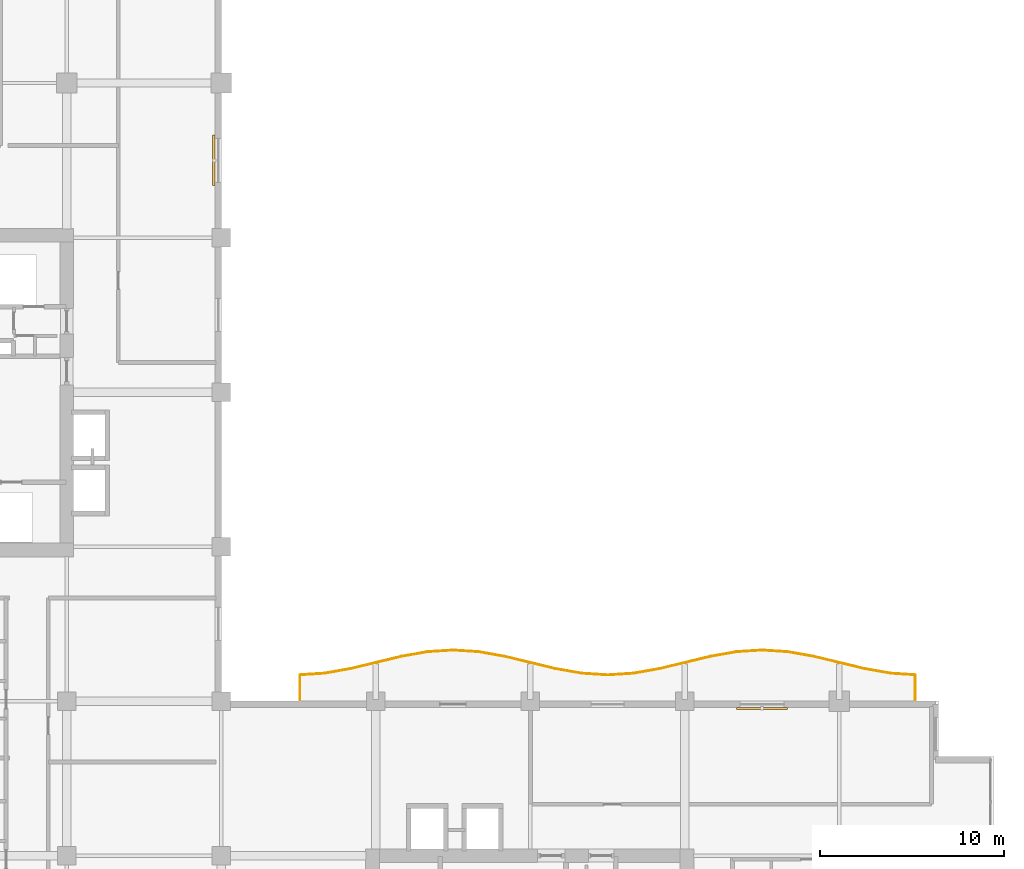
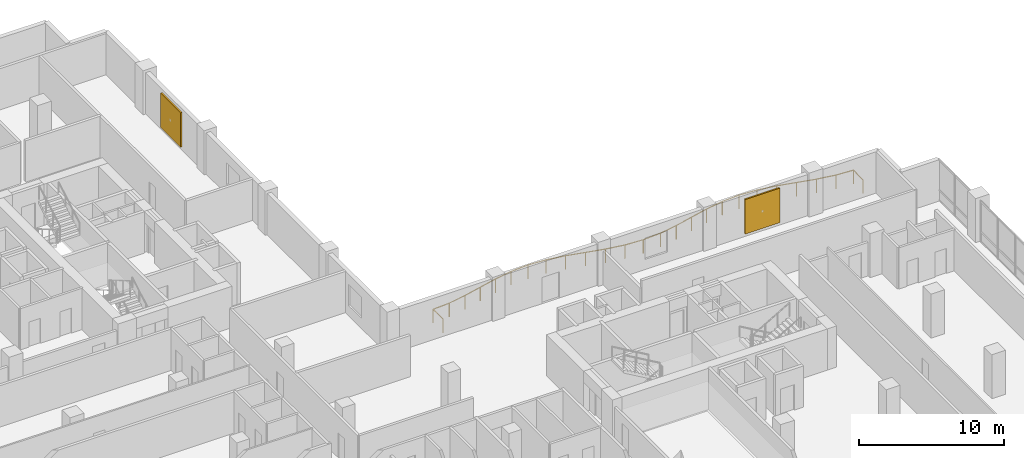
# One storey, part 22 of 22: 2 shading devices, 1 railing.
"""IFC4 building model written with IfcOpenShell, lengths in metres."""

from ifc_helpers import new_model, si_unit, direction, frame, origin, origin_2d, place, context, subcontext, project, spatial, rectangle, circle, extrude, material, layer, layer_set, type_object, element, save


model = new_model("IFC4")

# Units and contexts
model_context = context("Model", 3, precision=1e-05, world=origin(), true_north=direction((0.0, 1.0)))
body_context = subcontext(model_context, "Body", "Model", "MODEL_VIEW")
ifc_project = project(units=[si_unit("LENGTHUNIT", "METRE"), si_unit("AREAUNIT", "SQUARE_METRE"), si_unit("VOLUMEUNIT", "CUBIC_METRE"), si_unit("PLANEANGLEUNIT", "RADIAN"), si_unit("MASSUNIT", "GRAM", prefix="KILO")], contexts=[model_context])

# Site, building, storey
site_placement = place(None, origin())
site = spatial("IfcSite", under=ifc_project, at=site_placement, CompositionType="ELEMENT")
building_placement = place(site_placement, origin())
building = spatial("IfcBuilding", under=site, at=building_placement, Name="Koriwani Terraces Tower", CompositionType="ELEMENT")
storey_placement = place(building_placement, frame((0.0, 0.0, 182.800048828125)))
storey = spatial("IfcBuildingStorey", under=building, at=storey_placement, Name="L44", CompositionType="ELEMENT", Elevation=182.800048828125)

# Railing
ifc_material_1 = material(Name="Steel ASTM A572 Grade 50", Category="steel")
railing_type = type_object("IfcRailingType", Name="GUARD_BALUSTRADE_1150", PredefinedType="BALUSTRADE", material=ifc_material_1)
railing_placement = place(storey_placement, frame((71.320068359375, 33.679931640625, 0.0)))
element("IfcRailing", 1, at=railing_placement, inside=storey, type_object=railing_type, Name="L44 Balcony Perimeter Safety Balustrade (NE)", PredefinedType="BALUSTRADE", context=body_context, shape_type="SweptSolid", body=[
    extrude(circle(Radius=0.02392578125, at=origin_2d()), frame((0.0, 0.0, 1.1259765625), z_axis=(0.0, 1.0, 0.0), x_axis=(-1.0, 0.0, 0.0)), (0.0, 0.0, 1.0), 1.344970703125),
    extrude(circle(Radius=0.02392578125, at=origin_2d()), frame((0.0, 1.344970703125, 1.1259765625), z_axis=(-0.997905895812, 0.064682479108, 0.0), x_axis=(-0.064682479108, -0.997905895812, 0.0)), (0.0, 0.0, 1.0), 1.332275390625),
    extrude(circle(Radius=0.02392578125, at=origin_2d()), frame((-1.32958984375, 1.43115234375, 1.1259765625), z_axis=(-0.984807637937, 0.173648830292, 0.0), x_axis=(-0.173648830292, -0.984807637937, 0.0)), (0.0, 0.0, 1.0), 1.428466796875),
    extrude(circle(Radius=0.02392578125, at=origin_2d()), frame((-2.736328125, 1.67919921875, 1.1259765625), z_axis=(-0.972147505112, 0.234369853661, 0.0), x_axis=(-0.234369853661, -0.972147505112, 0.0)), (0.0, 0.0, 1.0), 2.88037109375),
    extrude(circle(Radius=0.02392578125, at=origin_2d()), frame((-5.536376953125, 2.354248046875, 1.1259765625), z_axis=(-0.984787032938, 0.173765646078, 0.0), x_axis=(-0.173765646078, -0.984787032938, 0.0)), (0.0, 0.0, 1.0), 1.414794921875),
    extrude(circle(Radius=0.02392578125, at=origin_2d()), frame((-6.9296875, 2.60009765625, 1.1259765625), z_axis=(-0.997918766852, 0.064483600738, 0.0), x_axis=(-0.064483600738, -0.997918766852, 0.0)), (0.0, 0.0, 1.0), 1.393310546875),
    extrude(circle(Radius=0.02392578125, at=origin_2d()), frame((-8.320068359375, 2.68994140625, 1.1259765625), z_axis=(-0.997918766852, -0.064483600738, 0.0), x_axis=(0.064483600738, -0.997918766852, 0.0)), (0.0, 0.0, 1.0), 1.393310546875),
    extrude(circle(Radius=0.02392578125, at=origin_2d()), frame((-9.71044921875, 2.60009765625, 1.1259765625), z_axis=(-0.984787032938, -0.173765646078, 0.0), x_axis=(0.173765646078, -0.984787032938, 0.0)), (0.0, 0.0, 1.0), 1.414794921875),
    extrude(circle(Radius=0.02392578125, at=origin_2d()), frame((-11.103759765625, 2.354248046875, 1.1259765625), z_axis=(-0.972147505112, -0.234369853661, 0.0), x_axis=(0.234369853661, -0.972147505112, 0.0)), (0.0, 0.0, 1.0), 2.88037109375),
    extrude(circle(Radius=0.02392578125, at=origin_2d()), frame((-13.90380859375, 1.67919921875, 1.1259765625), z_axis=(-0.984807637937, -0.173648830292, 0.0), x_axis=(0.173648830292, -0.984807637937, 0.0)), (0.0, 0.0, 1.0), 1.428466796875),
    extrude(circle(Radius=0.02392578125, at=origin_2d()), frame((-15.310546875, 1.43115234375, 1.1259765625), z_axis=(-0.997930321615, -0.064304534842, 0.0), x_axis=(0.064304534842, -0.997930321615, 0.0)), (0.0, 0.0, 1.0), 1.412353515625),
    extrude(circle(Radius=0.02392578125, at=origin_2d()), frame((-16.719970703125, 1.34033203125, 1.1259765625), z_axis=(-0.997931036226, 0.064293443969, 0.0), x_axis=(-0.064293443969, -0.997931036226, 0.0)), (0.0, 0.0, 1.0), 1.41259765625),
    extrude(circle(Radius=0.02392578125, at=origin_2d()), frame((-18.129638671875, 1.43115234375, 1.1259765625), z_axis=(-0.984807637937, 0.173648830292, 0.0), x_axis=(-0.173648830292, -0.984807637937, 0.0)), (0.0, 0.0, 1.0), 1.428466796875),
    extrude(circle(Radius=0.02392578125, at=origin_2d()), frame((-19.536376953125, 1.67919921875, 1.1259765625), z_axis=(-0.972147505112, 0.234369853661, 0.0), x_axis=(-0.234369853661, -0.972147505112, 0.0)), (0.0, 0.0, 1.0), 2.88037109375),
    extrude(circle(Radius=0.02392578125, at=origin_2d()), frame((-22.33642578125, 2.354248046875, 1.1259765625), z_axis=(-0.984787032938, 0.173765646078, 0.0), x_axis=(-0.173765646078, -0.984787032938, 0.0)), (0.0, 0.0, 1.0), 1.414794921875),
    extrude(circle(Radius=0.02392578125, at=origin_2d()), frame((-23.729736328125, 2.60009765625, 1.1259765625), z_axis=(-0.997918766852, 0.064483600738, 0.0), x_axis=(-0.064483600738, -0.997918766852, 0.0)), (0.0, 0.0, 1.0), 1.393310546875),
    extrude(circle(Radius=0.02392578125, at=origin_2d()), frame((-25.1201171875, 2.68994140625, 1.1259765625), z_axis=(-0.997918766852, -0.064483600738, 0.0), x_axis=(0.064483600738, -0.997918766852, 0.0)), (0.0, 0.0, 1.0), 1.393310546875),
    extrude(circle(Radius=0.02392578125, at=origin_2d()), frame((-26.510498046875, 2.60009765625, 1.1259765625), z_axis=(-0.984787032938, -0.173765646078, 0.0), x_axis=(0.173765646078, -0.984787032938, 0.0)), (0.0, 0.0, 1.0), 1.414794921875),
    extrude(circle(Radius=0.02392578125, at=origin_2d()), frame((-27.90380859375, 2.354248046875, 1.1259765625), z_axis=(-0.972147505112, -0.234369853661, 0.0), x_axis=(0.234369853661, -0.972147505112, 0.0)), (0.0, 0.0, 1.0), 2.88037109375),
    extrude(circle(Radius=0.02392578125, at=origin_2d()), frame((-30.703857421875, 1.67919921875, 1.1259765625), z_axis=(-0.984807637937, -0.173648830292, 0.0), x_axis=(0.173648830292, -0.984807637937, 0.0)), (0.0, 0.0, 1.0), 1.428466796875),
    extrude(circle(Radius=0.02392578125, at=origin_2d()), frame((-32.110595703125, 1.43115234375, 1.1259765625), z_axis=(-0.997905895812, -0.064682479108, 0.0), x_axis=(0.064682479108, -0.997905895812, 0.0)), (0.0, 0.0, 1.0), 1.332275390625),
    extrude(circle(Radius=0.02392578125, at=origin_2d()), frame((-33.440185546875, 1.344970703125, 1.1259765625), z_axis=(0.0, -1.0, 0.0), x_axis=(1.0, 0.0, 0.0)), (0.0, 0.0, 1.0), 1.344970703125),
    extrude(circle(Radius=0.02099609375, at=origin_2d()), origin(), (0.0, 0.0, 1.0), 1.101806640625),
    extrude(circle(Radius=0.02099609375, at=origin_2d()), frame((0.0, 1.344970703125, 0.0)), (0.0, 0.0, 1.0), 1.101806640625),
    extrude(circle(Radius=0.02099609375, at=origin_2d()), frame((-1.32958984375, 1.43115234375, 0.0)), (0.0, 0.0, 1.0), 1.101806640625),
    extrude(circle(Radius=0.02099609375, at=origin_2d()), frame((-2.736328125, 1.67919921875, 0.0)), (0.0, 0.0, 1.0), 1.101806640625),
    extrude(circle(Radius=0.02099609375, at=origin_2d()), frame((-4.13623046875, 2.0166015625, 0.0)), (0.0, 0.0, 1.0), 1.101806640625),
    extrude(circle(Radius=0.02099609375, at=origin_2d()), frame((-5.536376953125, 2.354248046875, 0.0)), (0.0, 0.0, 1.0), 1.101806640625),
    extrude(circle(Radius=0.02099609375, at=origin_2d()), frame((-6.9296875, 2.60009765625, 0.0)), (0.0, 0.0, 1.0), 1.101806640625),
    extrude(circle(Radius=0.02099609375, at=origin_2d()), frame((-8.320068359375, 2.68994140625, 0.0)), (0.0, 0.0, 1.0), 1.101806640625),
    extrude(circle(Radius=0.02099609375, at=origin_2d()), frame((-9.71044921875, 2.60009765625, 0.0)), (0.0, 0.0, 1.0), 1.101806640625),
    extrude(circle(Radius=0.02099609375, at=origin_2d()), frame((-11.103759765625, 2.354248046875, 0.0)), (0.0, 0.0, 1.0), 1.101806640625),
    extrude(circle(Radius=0.02099609375, at=origin_2d()), frame((-12.50390625, 2.0166015625, 0.0)), (0.0, 0.0, 1.0), 1.101806640625),
    extrude(circle(Radius=0.02099609375, at=origin_2d()), frame((-13.90380859375, 1.67919921875, 0.0)), (0.0, 0.0, 1.0), 1.101806640625),
    extrude(circle(Radius=0.02099609375, at=origin_2d()), frame((-15.310546875, 1.43115234375, 0.0)), (0.0, 0.0, 1.0), 1.101806640625),
    extrude(circle(Radius=0.02099609375, at=origin_2d()), frame((-16.719970703125, 1.34033203125, 0.0)), (0.0, 0.0, 1.0), 1.101806640625),
    extrude(circle(Radius=0.02099609375, at=origin_2d()), frame((-18.129638671875, 1.43115234375, 0.0)), (0.0, 0.0, 1.0), 1.101806640625),
    extrude(circle(Radius=0.02099609375, at=origin_2d()), frame((-19.536376953125, 1.67919921875, 0.0)), (0.0, 0.0, 1.0), 1.101806640625),
    extrude(circle(Radius=0.02099609375, at=origin_2d()), frame((-20.9365234375, 2.0166015625, 0.0)), (0.0, 0.0, 1.0), 1.101806640625),
    extrude(circle(Radius=0.02099609375, at=origin_2d()), frame((-22.33642578125, 2.354248046875, 0.0)), (0.0, 0.0, 1.0), 1.101806640625),
    extrude(circle(Radius=0.02099609375, at=origin_2d()), frame((-23.729736328125, 2.60009765625, 0.0)), (0.0, 0.0, 1.0), 1.101806640625),
    extrude(circle(Radius=0.02099609375, at=origin_2d()), frame((-25.1201171875, 2.68994140625, 0.0)), (0.0, 0.0, 1.0), 1.101806640625),
    extrude(circle(Radius=0.02099609375, at=origin_2d()), frame((-26.510498046875, 2.60009765625, 0.0)), (0.0, 0.0, 1.0), 1.101806640625),
    extrude(circle(Radius=0.02099609375, at=origin_2d()), frame((-27.90380859375, 2.354248046875, 0.0)), (0.0, 0.0, 1.0), 1.101806640625),
    extrude(circle(Radius=0.02099609375, at=origin_2d()), frame((-29.3037109375, 2.0166015625, 0.0)), (0.0, 0.0, 1.0), 1.101806640625),
    extrude(circle(Radius=0.02099609375, at=origin_2d()), frame((-30.703857421875, 1.67919921875, 0.0)), (0.0, 0.0, 1.0), 1.101806640625),
    extrude(circle(Radius=0.02099609375, at=origin_2d()), frame((-32.110595703125, 1.43115234375, 0.0)), (0.0, 0.0, 1.0), 1.101806640625),
    extrude(circle(Radius=0.02099609375, at=origin_2d()), frame((-33.440185546875, 1.344970703125, 0.0)), (0.0, 0.0, 1.0), 1.101806640625),
    extrude(circle(Radius=0.02099609375, at=origin_2d()), frame((-33.440185546875, 0.0, 0.0)), (0.0, 0.0, 1.0), 1.101806640625),
])

# Shading devices
ifc_material_2 = material(Name="Extruded Terracotta Clay", Category="masonry")
ifc_layer = layer(ifc_material_2, 0.1201171875, Name="Extruded Terracotta Clay")
ifc_layer_set = layer_set([ifc_layer], Name="Extruded Terracotta Clay")
shading_device_type = type_object("IfcShadingDeviceType", Name="TERRACOTTA_BAGUETTE_SCREEN_2800", PredefinedType="USERDEFINED", material=ifc_layer_set)
for number, where, z_axis, x_axis, name in (
    (2, (33.195068359375, 63.0, 0.284912109375), (0.0, 0.0, 1.0), (0.0, -1.0, 0.0), "L44 Extruded Terracotta Baguette Screen (NW_IN-11)"),
    (3, (63.0, 33.195068359375, 0.284912109375), (0.0, 0.0, 1.0), (1.0, 0.0, 0.0), "L44 Extruded Terracotta Baguette Screen (NE-11)"),
):
    element("IfcShadingDevice", number, at=place(storey_placement, frame(where, z_axis=z_axis, x_axis=x_axis)), inside=storey, type_object=shading_device_type, Name=name, ObjectType="BAGUETTE", PredefinedType="USERDEFINED", context=body_context, shape_type="SweptSolid", body=[
        extrude(rectangle(XDim=2.760009765625, YDim=0.1201171875, at=origin_2d()), origin(), (0.0, 0.0, 1.0), 2.89990234375),
    ])

save(model, "model.ifc")
